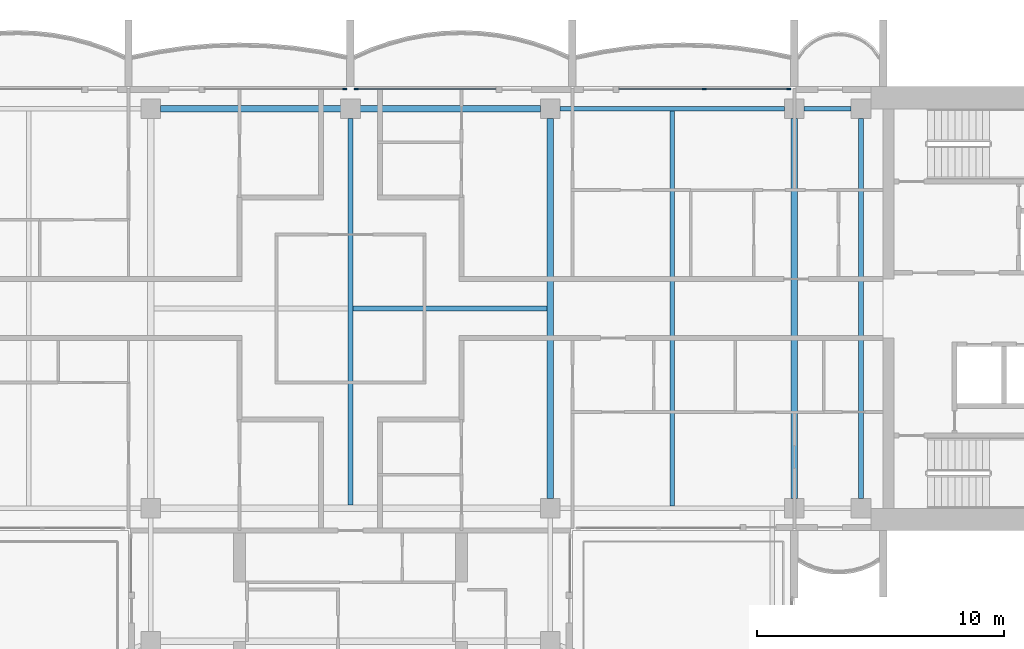
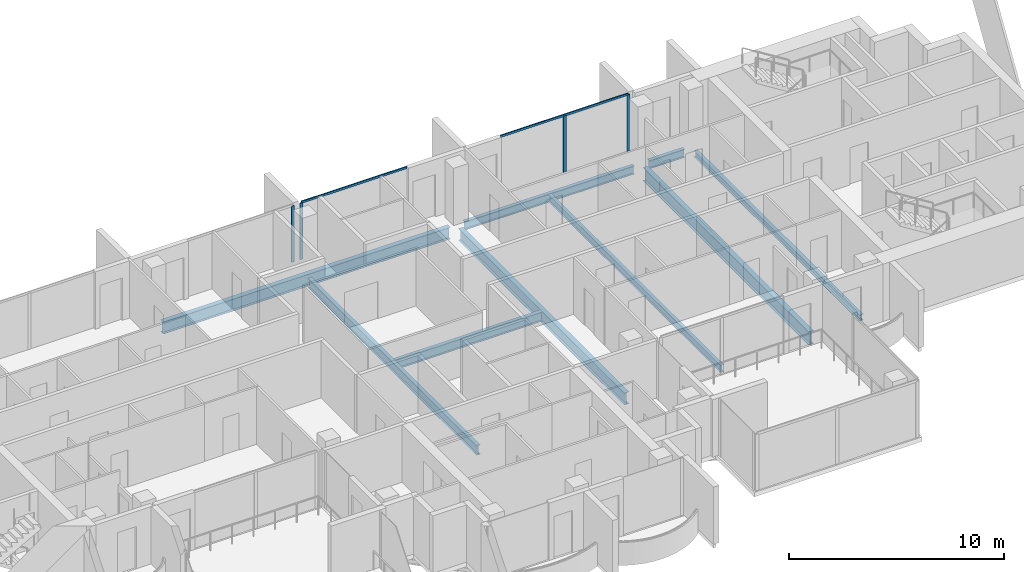
# One storey, part 4 of 16: 9 beams, 6 members, 3 elements without a shape of their own.
"""IFC4 building model written with IfcOpenShell, lengths in metres."""

from ifc_helpers import new_model, si_unit, direction, frame, origin, origin_2d, place, context, subcontext, project, spatial, rectangle, i_section, extrude, material, material_profile, profile_set, type_object, element, aggregate, save


model = new_model("IFC4")

# Units and contexts
model_context = context("Model", 3, precision=1e-05, world=origin(), true_north=direction((0.0, 1.0)))
body_context = subcontext(model_context, "Body", "Model", "MODEL_VIEW")
ifc_project = project(units=[si_unit("LENGTHUNIT", "METRE"), si_unit("AREAUNIT", "SQUARE_METRE"), si_unit("VOLUMEUNIT", "CUBIC_METRE"), si_unit("PLANEANGLEUNIT", "RADIAN"), si_unit("MASSUNIT", "GRAM", prefix="KILO")], contexts=[model_context])

# Site, building, storey
site_placement = place(None, origin())
site = spatial("IfcSite", under=ifc_project, at=site_placement, CompositionType="ELEMENT")
building_placement = place(site_placement, origin())
building = spatial("IfcBuilding", under=site, at=building_placement, Name="Perihelion Cross Residences", CompositionType="ELEMENT")
storey_placement = place(building_placement, frame((0.0, 0.0, 264.0)))
storey = spatial("IfcBuildingStorey", under=building, at=storey_placement, Name="L67", CompositionType="ELEMENT", Elevation=264.0)

# Curtain wall, members
ifc_material_1 = material(Name="Bronze anodised aluminium, tinted glazing", Category="aluminium")
curtain_wall_type = type_object("IfcCurtainWallType", Name="CW1", PredefinedType="NOTDEFINED", material=ifc_material_1)
curtain_wall_1_placement = place(storey_placement, origin())
curtain_wall_1 = element("IfcCurtainWall", 1, at=curtain_wall_1_placement, inside=storey, type_object=curtain_wall_type, Name="Curtain wall CW1 L67 east side north bay 2", PredefinedType="NOTDEFINED")
ifc_material_2 = material(Name="Bronze anodised aluminium", Category="aluminium")
ifc_material_profile_1 = material_profile(ifc_material_2, rectangle(XDim=0.06005859375, YDim=0.159912109375, at=origin_2d()), Name="CW1 mullion")
ifc_profile_set_1 = profile_set([ifc_material_profile_1], Name="Bronze anodised aluminium")
member_type_1 = type_object("IfcMemberType", Name="CW1 mullion", PredefinedType="MULLION", material=ifc_profile_set_1)
member_1_placement = place(storey_placement, frame((17.77001953125, 8.89990234375, 0.0), z_axis=(0.0, 0.0, 1.0), x_axis=(0.0, -1.0, 0.0)))
member_1 = element("IfcMember", 2, at=member_1_placement, type_object=member_type_1, Name="CW1 mullion 1", PredefinedType="MULLION", context=body_context, shape_type="SweptSolid", body=[
    extrude(rectangle(XDim=0.06005859375, YDim=0.159912109375, at=origin_2d()), origin(), (0.0, 0.0, 1.0), 3.18994140625),
])
member_2_placement = place(storey_placement, frame((14.35009765625, 8.89990234375, 0.0), z_axis=(0.0, 0.0, 1.0), x_axis=(0.0, -1.0, 0.0)))
member_2 = element("IfcMember", 3, at=member_2_placement, type_object=member_type_1, Name="CW1 mullion 2", PredefinedType="MULLION", context=body_context, shape_type="SweptSolid", body=[
    extrude(rectangle(XDim=0.06005859375, YDim=0.159912109375, at=origin_2d()), origin(), (0.0, 0.0, 1.0), 3.18994140625),
])

# Curtain wall, member
curtain_wall_2_placement = place(storey_placement, origin())
curtain_wall_2 = element("IfcCurtainWall", 4, at=curtain_wall_2_placement, inside=storey, type_object=curtain_wall_type, Name="Curtain wall CW1 L67 north side east bay 1", PredefinedType="NOTDEFINED")
member_3_placement = place(storey_placement, frame((0.22998046875, 8.89990234375, 0.0), z_axis=(0.0, 0.0, 1.0), x_axis=(0.0, -1.0, 0.0)))
member_3 = element("IfcMember", 5, at=member_3_placement, type_object=member_type_1, Name="CW1 mullion 2", PredefinedType="MULLION", context=body_context, shape_type="SweptSolid", body=[
    extrude(rectangle(XDim=0.06005859375, YDim=0.159912109375, at=origin_2d()), origin(), (0.0, 0.0, 1.0), 3.18994140625),
])

curtain_wall_3_placement = place(storey_placement, origin())
curtain_wall_3 = element("IfcCurtainWall", 6, at=curtain_wall_3_placement, inside=storey, type_object=curtain_wall_type, Name="Curtain wall CW1 L67 north side east bay 2", PredefinedType="NOTDEFINED")
member_4_placement = place(storey_placement, frame((-0.22998046875, 8.89990234375, 0.0), z_axis=(0.0, 0.0, 1.0), x_axis=(0.0, -1.0, 0.0)))
member_4 = element("IfcMember", 7, at=member_4_placement, type_object=member_type_1, Name="CW1 mullion 1", PredefinedType="MULLION", context=body_context, shape_type="SweptSolid", body=[
    extrude(rectangle(XDim=0.06005859375, YDim=0.159912109375, at=origin_2d()), origin(), (0.0, 0.0, 1.0), 3.18994140625),
])
aggregate(curtain_wall_3, [member_4])

# Member
ifc_material_3 = material(Name="Bronze anodised aluminium", Category="aluminium")
ifc_material_profile_2 = material_profile(ifc_material_3, rectangle(XDim=0.06005859375, YDim=0.1201171875, at=origin_2d()), Name="CW1 transom")
ifc_profile_set_2 = profile_set([ifc_material_profile_2], Name="Bronze anodised aluminium")
member_type_2 = type_object("IfcMemberType", Name="CW1 transom", PredefinedType="USERDEFINED", material=ifc_profile_set_2)
member_5_placement = place(storey_placement, frame((17.77001953125, 8.89990234375, 3.219970703125), z_axis=(-1.0, 0.0, 0.0), x_axis=(0.0, -1.0, 0.0)))
member_5 = element("IfcMember", 8, at=member_5_placement, type_object=member_type_2, Name="CW1 head transom", ObjectType="TRANSOM", PredefinedType="USERDEFINED", context=body_context, shape_type="SweptSolid", body=[
    extrude(rectangle(XDim=0.06005859375, YDim=0.1201171875, at=origin_2d()), origin(), (0.0, 0.0, 1.0), 6.8701171875),
])

aggregate(curtain_wall_1, [member_1, member_2, member_5])

member_6_placement = place(storey_placement, frame((5.89990234375, 8.89990234375, 3.219970703125), z_axis=(-1.0, 0.0, 0.0), x_axis=(0.0, -1.0, 0.0)))
member_6 = element("IfcMember", 9, at=member_6_placement, type_object=member_type_2, Name="CW1 head transom", ObjectType="TRANSOM", PredefinedType="USERDEFINED", context=body_context, shape_type="SweptSolid", body=[
    extrude(rectangle(XDim=0.06005859375, YDim=0.1201171875, at=origin_2d()), origin(), (0.0, 0.0, 1.0), 5.669921875),
])

aggregate(curtain_wall_2, [member_3, member_6])

# Beams
ifc_material_4 = material(Name="Steel S355", Category="steel")
ifc_material_profile_3 = material_profile(ifc_material_4, i_section(OverallWidth=0.205078125, OverallDepth=0.35302734375, WebThickness=0.009521484375, FlangeThickness=0.016845703125, at=origin_2d()), Name="W360x79")
ifc_profile_set_3 = profile_set([ifc_material_profile_3], Name="Steel S355")
beam_type_1 = type_object("IfcBeamType", Name="Core edge beam W360x79", PredefinedType="BEAM", material=ifc_profile_set_3)
beam_1_placement = place(storey_placement, frame((20.699951171875, -7.699951171875, -0.426513671875), z_axis=(0.0, 1.0, 0.0), x_axis=(-1.0, 0.0, 0.0)))
element("IfcBeam", 10, at=beam_1_placement, inside=storey, type_object=beam_type_1, Name="Core edge beam TB7 L67 no. 2", PredefinedType="BEAM", context=body_context, shape_type="SweptSolid", body=[
    extrude(i_section(OverallWidth=0.205078125, OverallDepth=0.35302734375, WebThickness=0.009521484375, FlangeThickness=0.016845703125, at=origin_2d()), origin(), (0.0, 0.0, 1.0), 15.39990234375),
])
ifc_material_5 = material(Name="Steel S355", Category="steel")
ifc_material_profile_4 = material_profile(ifc_material_5, i_section(OverallWidth=0.194091796875, OverallDepth=0.469970703125, WebThickness=0.0126953125, FlangeThickness=0.0205078125, at=origin_2d()), Name="W460x106")
ifc_profile_set_4 = profile_set([ifc_material_profile_4], Name="Steel S355")
beam_type_2 = type_object("IfcBeamType", Name="Edge beam W460x106", PredefinedType="SPANDREL", material=ifc_profile_set_4)
beam_2_placement = place(storey_placement, frame((20.300048828125, 8.10009765625, -0.485107421875), z_axis=(-1.0, 0.0, 0.0), x_axis=(0.0, -1.0, 0.0)))
element("IfcBeam", 11, at=beam_2_placement, inside=storey, type_object=beam_type_2, Name="Edge beam SB5 L67 no. 10", PredefinedType="SPANDREL", context=body_context, shape_type="SweptSolid", body=[
    extrude(i_section(OverallWidth=0.194091796875, OverallDepth=0.469970703125, WebThickness=0.0126953125, FlangeThickness=0.0205078125, at=origin_2d()), origin(), (0.0, 0.0, 1.0), 1.900146484375),
])
beam_3_placement = place(storey_placement, frame((17.60009765625, 8.10009765625, -0.485107421875), z_axis=(-1.0, 0.0, 0.0), x_axis=(0.0, -1.0, 0.0)))
element("IfcBeam", 12, at=beam_3_placement, inside=storey, type_object=beam_type_2, Name="Edge beam SB5 L67 no. 9", PredefinedType="SPANDREL", context=body_context, shape_type="SweptSolid", body=[
    extrude(i_section(OverallWidth=0.194091796875, OverallDepth=0.469970703125, WebThickness=0.0126953125, FlangeThickness=0.0205078125, at=origin_2d()), origin(), (0.0, 0.0, 1.0), 9.10009765625),
])
ifc_material_6 = material(Name="Steel S355", Category="steel")
ifc_material_profile_5 = material_profile(ifc_material_6, i_section(OverallWidth=0.26708984375, OverallDepth=0.75390625, WebThickness=0.01318359375, FlangeThickness=0.01708984375, at=origin_2d()), Name="W760x147")
ifc_profile_set_5 = profile_set([ifc_material_profile_5], Name="Steel S355")
beam_type_3 = type_object("IfcBeamType", Name="Floor girder W760x147", PredefinedType="BEAM", material=ifc_profile_set_5)
beam_4_placement = place(storey_placement, frame((18.0, -7.699951171875, -0.626953125), z_axis=(0.0, 1.0, 0.0), x_axis=(-1.0, 0.0, 0.0)))
element("IfcBeam", 13, at=beam_4_placement, inside=storey, type_object=beam_type_3, Name="Girder G5 L67 no. 2", PredefinedType="BEAM", context=body_context, shape_type="SweptSolid", body=[
    extrude(i_section(OverallWidth=0.26708984375, OverallDepth=0.75390625, WebThickness=0.01318359375, FlangeThickness=0.01708984375, at=origin_2d()), origin(), (0.0, 0.0, 1.0), 15.39990234375),
])
ifc_material_7 = material(Name="Steel S355", Category="steel")
ifc_material_profile_6 = material_profile(ifc_material_7, i_section(OverallWidth=0.177978515625, OverallDepth=0.406005859375, WebThickness=0.0078125, FlangeThickness=0.0126953125, at=origin_2d()), Name="W410x60")
ifc_profile_set_6 = profile_set([ifc_material_profile_6], Name="Steel S355")
beam_type_4 = type_object("IfcBeamType", Name="Floor joist W410x60", PredefinedType="JOIST", material=ifc_profile_set_6)
beam_5_placement = place(storey_placement, frame((13.050048828125, -8.0029296875, -0.452880859375), z_axis=(0.0, 1.0, 0.0), x_axis=(-1.0, 0.0, 0.0)))
element("IfcBeam", 14, at=beam_5_placement, inside=storey, type_object=beam_type_4, Name="Joist J6 L67 no. 2", PredefinedType="JOIST", context=body_context, shape_type="SweptSolid", body=[
    extrude(i_section(OverallWidth=0.177978515625, OverallDepth=0.406005859375, WebThickness=0.0078125, FlangeThickness=0.0126953125, at=origin_2d()), origin(), (0.0, 0.0, 1.0), 16.005859375),
])
ifc_material_8 = material(Name="Steel S355", Category="steel")
ifc_material_profile_7 = material_profile(ifc_material_8, i_section(OverallWidth=0.208984375, OverallDepth=0.532958984375, WebThickness=0.01025390625, FlangeThickness=0.015625, at=origin_2d()), Name="W530x92")
ifc_profile_set_7 = profile_set([ifc_material_profile_7], Name="Steel S355")
beam_type_5 = type_object("IfcBeamType", Name="Hub cross beam W530x92", PredefinedType="BEAM", material=ifc_profile_set_7)
beam_6_placement = place(storey_placement, frame((0.0, -7.972900390625, -0.5166015625), z_axis=(0.0, 1.0, 0.0), x_axis=(-1.0, 0.0, 0.0)))
element("IfcBeam", 15, at=beam_6_placement, inside=storey, type_object=beam_type_5, Name="Hub cross beam XB5 L67 no. 1", PredefinedType="BEAM", context=body_context, shape_type="SweptSolid", body=[
    extrude(i_section(OverallWidth=0.208984375, OverallDepth=0.532958984375, WebThickness=0.01025390625, FlangeThickness=0.015625, at=origin_2d()), origin(), (0.0, 0.0, 1.0), 15.6728515625),
])
beam_7_placement = place(storey_placement, frame((0.1044921875, 0.0, -0.5166015625), z_axis=(1.0, 0.0, 0.0), x_axis=(0.0, 1.0, 0.0)))
element("IfcBeam", 16, at=beam_7_placement, inside=storey, type_object=beam_type_5, Name="Hub cross beam XB5 L67 2 no. 1", PredefinedType="BEAM", context=body_context, shape_type="SweptSolid", body=[
    extrude(i_section(OverallWidth=0.208984375, OverallDepth=0.532958984375, WebThickness=0.01025390625, FlangeThickness=0.015625, at=origin_2d()), origin(), (0.0, 0.0, 1.0), 7.868408203125),
])
ifc_material_9 = material(Name="Steel S355", Category="steel")
ifc_material_profile_8 = material_profile(ifc_material_9, i_section(OverallWidth=0.25390625, OverallDepth=0.677978515625, WebThickness=0.01171875, FlangeThickness=0.016357421875, at=origin_2d()), Name="W690x125")
ifc_profile_set_8 = profile_set([ifc_material_profile_8], Name="Steel S355")
beam_type_6 = type_object("IfcBeamType", Name="Hub ring girder W690x125", PredefinedType="BEAM", material=ifc_profile_set_8)
for number, where, z_axis, x_axis, name in (
    (17, (8.10009765625, -7.699951171875, -0.589111328125), (0.0, 1.0, 0.0), (-1.0, 0.0, 0.0), "Hub ring girder RG5 L67 no. 3"),
    (18, (7.699951171875, 8.10009765625, -0.589111328125), (-1.0, 0.0, 0.0), (0.0, -1.0, 0.0), "Hub ring girder RG5 L67 no. 4"),
):
    element("IfcBeam", number, at=place(storey_placement, frame(where, z_axis=z_axis, x_axis=x_axis)), inside=storey, type_object=beam_type_6, Name=name, PredefinedType="BEAM", context=body_context, shape_type="SweptSolid", body=[
        extrude(i_section(OverallWidth=0.25390625, OverallDepth=0.677978515625, WebThickness=0.01171875, FlangeThickness=0.016357421875, at=origin_2d()), origin(), (0.0, 0.0, 1.0), 15.39990234375),
    ])

save(model, "model.ifc")
